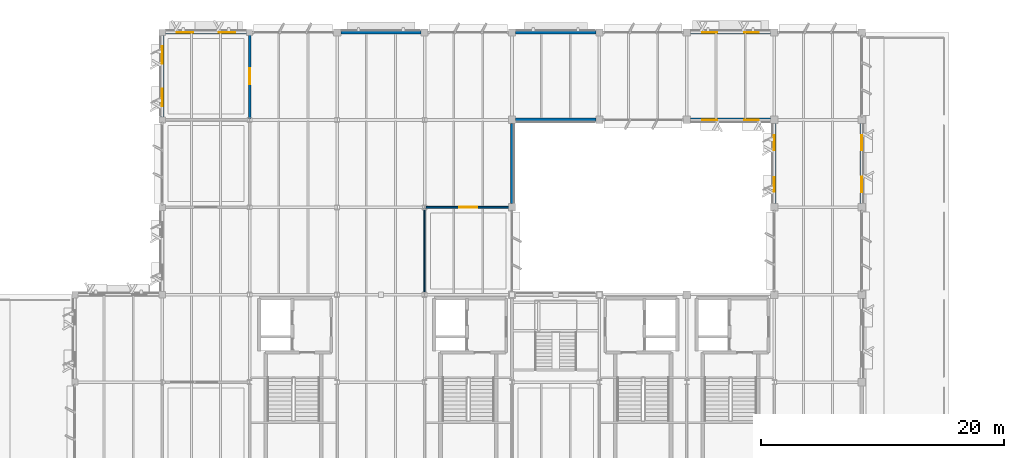
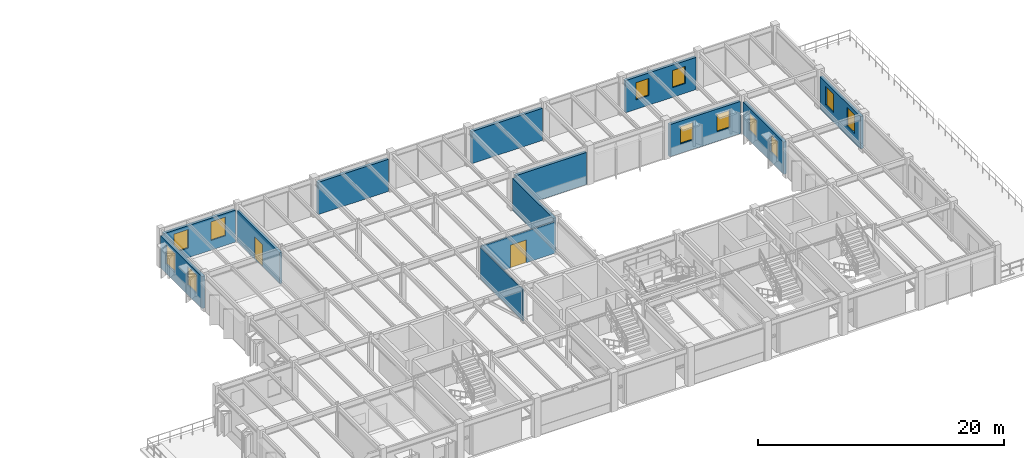
# One storey, part 15 of 35: 13 walls, 12 windows, 2 doors, 14 openings.
"""IFC4 building model written with IfcOpenShell, lengths in metres."""

from ifc_helpers import new_model, si_unit, direction, frame, frame_2d, origin, place, context, subcontext, project, spatial, rectangle, extrude, material, layer, layer_set, type_object, element, fill, save


model = new_model("IFC4")

# Units and contexts
model_context = context("Model", 3, precision=1e-05, world=origin(), true_north=direction((0.0, 1.0)))
body_context = subcontext(model_context, "Body", "Model", "MODEL_VIEW")
ifc_project = project(units=[si_unit("LENGTHUNIT", "METRE"), si_unit("AREAUNIT", "SQUARE_METRE"), si_unit("VOLUMEUNIT", "CUBIC_METRE"), si_unit("PLANEANGLEUNIT", "RADIAN"), si_unit("MASSUNIT", "GRAM", prefix="KILO")], contexts=[model_context])

# Site, building, storey
site_placement = place(None, origin())
site = spatial("IfcSite", under=ifc_project, at=site_placement, CompositionType="ELEMENT")
building_placement = place(site_placement, origin())
building = spatial("IfcBuilding", under=site, at=building_placement, Name="Sillqori Civic Hall", CompositionType="ELEMENT")
storey_placement = place(building_placement, frame((0.0, 0.0, 18.0)))
storey = spatial("IfcBuildingStorey", under=building, at=storey_placement, Name="L05", CompositionType="ELEMENT", Elevation=18.0)

# Wall, openings, windows
ifc_material_1 = material(Name="Precast concrete C40/50 (H40)", Category="concrete")
ifc_layer_1 = layer(ifc_material_1, 0.280029296875)
ifc_layer_set_1 = layer_set([ifc_layer_1], Name="Precast concrete C40/50 (H40)")
wall_type_1 = type_object("IfcWallType", Name="EW-LIME-280", PredefinedType="SOLIDWALL", material=ifc_layer_set_1)
wall_1_placement = place(storey_placement, frame((43.449951171875, 115.199951171875, 0.0), z_axis=(0.0, 0.0, 1.0), x_axis=(1.0, 0.0, 0.0)))
wall_1 = element("IfcWall", 1, at=wall_1_placement, inside=storey, type_object=wall_type_1, Name="L05 V4 exterior wall L05-06-15-N", PredefinedType="SOLIDWALL", context=body_context, shape_type="SweptSolid", body=[
    extrude(rectangle(XDim=6.699951171875, YDim=0.280029296875, at=frame_2d((3.35009765625, 0.0))), origin(), (0.0, 0.0, 1.0), 3.172119140625),
])
opening_1_placement = place(wall_1_placement, frame((0.93310546875, 0.0, 0.949951171875)))
opening_1 = element("IfcOpeningElement", 2, at=opening_1_placement, cuts=wall_1, Name="Opening W-42", PredefinedType="OPENING", context=body_context, shape_type="SweptSolid", body=[
    extrude(rectangle(XDim=1.35009765625, YDim=1.85009765625, at=frame_2d((0.675048828125, 0.925048828125))), frame((0.0, 0.14990234375, 0.0), z_axis=(0.0, -1.0, 0.0), x_axis=(1.0, 0.0, 0.0)), (0.0, 0.0, 1.0), 0.300048828125),
])
opening_2_placement = place(wall_1_placement, frame((4.4169921875, 0.0, 0.949951171875)))
opening_2 = element("IfcOpeningElement", 3, at=opening_2_placement, cuts=wall_1, Name="Opening W-42", PredefinedType="OPENING", context=body_context, shape_type="SweptSolid", body=[
    extrude(rectangle(XDim=1.35009765625, YDim=1.85009765625, at=frame_2d((0.675048828125, 0.925048828125))), frame((0.0, 0.14990234375, 0.0), z_axis=(0.0, -1.0, 0.0), x_axis=(1.0, 0.0, 0.0)), (0.0, 0.0, 1.0), 0.300048828125),
])
ifc_material_2 = material(Name="Thermally Broken Aluminium Low-E Window", Category="aluminium")
window_type_1 = type_object("IfcWindowType", Name="WIN-GD-135X185", PartitioningType="SINGLE_PANEL", PredefinedType="WINDOW", material=ifc_material_2)
window_1_placement = place(opening_1_placement, origin())
window_1 = element("IfcWindow", 4, at=window_1_placement, inside=storey, type_object=window_type_1, Name="L05 V4 window L05-06-15-N.1", OverallHeight=1.85009765625, OverallWidth=1.35009765625, PartitioningType="SINGLE_PANEL", PredefinedType="WINDOW", context=body_context, shape_type="SweptSolid", body=[
    extrude(rectangle(XDim=1.35009765625, YDim=1.85009765625, at=frame_2d((0.675048828125, 0.925048828125))), frame((0.0, 0.030029296875, 0.0), z_axis=(0.0, -1.0, 0.0), x_axis=(1.0, 0.0, 0.0)), (0.0, 0.0, 1.0), 0.06005859375),
])
fill(opening_1, window_1)
window_2_placement = place(opening_2_placement, origin())
window_2 = element("IfcWindow", 5, at=window_2_placement, inside=storey, type_object=window_type_1, Name="L05 V4 window L05-06-15-N.2", OverallHeight=1.85009765625, OverallWidth=1.35009765625, PartitioningType="SINGLE_PANEL", PredefinedType="WINDOW", context=body_context, shape_type="SweptSolid", body=[
    extrude(rectangle(XDim=1.35009765625, YDim=1.85009765625, at=frame_2d((0.675048828125, 0.925048828125))), frame((0.0, 0.030029296875, 0.0), z_axis=(0.0, -1.0, 0.0), x_axis=(1.0, 0.0, 0.0)), (0.0, 0.0, 1.0), 0.06005859375),
])
fill(opening_2, window_2)

wall_2_placement = place(storey_placement, frame((43.199951171875, 108.25, 0.0), z_axis=(0.0, 0.0, 1.0), x_axis=(0.0, 1.0, 0.0)))
wall_2 = element("IfcWall", 6, at=wall_2_placement, inside=storey, type_object=wall_type_1, Name="L05 V4 exterior wall L05-06-15-W", PredefinedType="SOLIDWALL", context=body_context, shape_type="SweptSolid", body=[
    extrude(rectangle(XDim=6.699951171875, YDim=0.280029296875, at=frame_2d((3.35009765625, 0.0))), origin(), (0.0, 0.0, 1.0), 3.172119140625),
])
opening_3_placement = place(wall_2_placement, frame((0.883056640625, 0.0, 0.949951171875)))
opening_3 = element("IfcOpeningElement", 7, at=opening_3_placement, cuts=wall_2, Name="Opening W-43", PredefinedType="OPENING", context=body_context, shape_type="SweptSolid", body=[
    extrude(rectangle(XDim=1.449951171875, YDim=1.85009765625, at=frame_2d((0.72509765625, 0.925048828125))), frame((0.0, 0.14990234375, 0.0), z_axis=(0.0, -1.0, 0.0), x_axis=(1.0, 0.0, 0.0)), (0.0, 0.0, 1.0), 0.300048828125),
])
opening_4_placement = place(wall_2_placement, frame((4.366943359375, 0.0, 0.949951171875)))
opening_4 = element("IfcOpeningElement", 8, at=opening_4_placement, cuts=wall_2, Name="Opening W-43", PredefinedType="OPENING", context=body_context, shape_type="SweptSolid", body=[
    extrude(rectangle(XDim=1.449951171875, YDim=1.85009765625, at=frame_2d((0.72509765625, 0.925048828125))), frame((0.0, 0.14990234375, 0.0), z_axis=(0.0, -1.0, 0.0), x_axis=(1.0, 0.0, 0.0)), (0.0, 0.0, 1.0), 0.300048828125),
])
window_type_2 = type_object("IfcWindowType", Name="WIN-GD-145X185", PartitioningType="SINGLE_PANEL", PredefinedType="WINDOW", material=ifc_material_2)
window_3_placement = place(opening_3_placement, origin())
window_3 = element("IfcWindow", 9, at=window_3_placement, inside=storey, type_object=window_type_2, Name="L05 V4 window L05-06-15-W.1", OverallHeight=1.85009765625, OverallWidth=1.449951171875, PartitioningType="SINGLE_PANEL", PredefinedType="WINDOW", context=body_context, shape_type="SweptSolid", body=[
    extrude(rectangle(XDim=1.449951171875, YDim=1.85009765625, at=frame_2d((0.72509765625, 0.925048828125))), frame((0.0, 0.030029296875, 0.0), z_axis=(0.0, -1.0, 0.0), x_axis=(1.0, 0.0, 0.0)), (0.0, 0.0, 1.0), 0.06005859375),
])
fill(opening_3, window_3)
window_4_placement = place(opening_4_placement, origin())
window_4 = element("IfcWindow", 10, at=window_4_placement, inside=storey, type_object=window_type_2, Name="L05 V4 window L05-06-15-W.2", OverallHeight=1.85009765625, OverallWidth=1.449951171875, PartitioningType="SINGLE_PANEL", PredefinedType="WINDOW", context=body_context, shape_type="SweptSolid", body=[
    extrude(rectangle(XDim=1.449951171875, YDim=1.85009765625, at=frame_2d((0.72509765625, 0.925048828125))), frame((0.0, 0.030029296875, 0.0), z_axis=(0.0, -1.0, 0.0), x_axis=(1.0, 0.0, 0.0)), (0.0, 0.0, 1.0), 0.06005859375),
])
fill(opening_4, window_4)

# Walls
wall_3_placement = place(storey_placement, frame((57.89990234375, 115.199951171875, 0.0), z_axis=(0.0, 0.0, 1.0), x_axis=(1.0, 0.0, 0.0)))
element("IfcWall", 11, at=wall_3_placement, inside=storey, type_object=wall_type_1, Name="L05 V4 exterior wall L05-08-15-N", PredefinedType="SOLIDWALL", context=body_context, shape_type="SweptSolid", body=[
    extrude(rectangle(XDim=6.60009765625, YDim=0.280029296875, at=frame_2d((3.300048828125, 0.0))), origin(), (0.0, 0.0, 1.0), 3.19189453125),
])
for number, where, z_axis, x_axis, name in (
    (12, (72.0, 107.699951171875, 0.0), (0.0, 0.0, 1.0), (0.0, -1.0, 0.0), "L05 V4 exterior wall L05-09-14-E"),
    (13, (78.89990234375, 108.0, 0.0), (0.0, 0.0, 1.0), (-1.0, 0.0, 0.0), "L05 V4 exterior wall L05-10-15-S"),
    (14, (72.300048828125, 115.199951171875, 0.0), (0.0, 0.0, 1.0), (1.0, 0.0, 0.0), "L05 V4 exterior wall L05-10-15-N"),
):
    element("IfcWall", number, at=place(storey_placement, frame(where, z_axis=z_axis, x_axis=x_axis)), inside=storey, type_object=wall_type_1, Name=name, PredefinedType="SOLIDWALL", context=body_context, shape_type="SweptSolid", body=[
        extrude(rectangle(XDim=6.599853515625, YDim=0.280029296875, at=frame_2d((3.2998046875, 0.0))), origin(), (0.0, 0.0, 1.0), 3.19189453125),
    ])

# Wall, openings, windows
wall_4_placement = place(storey_placement, frame((93.300048828125, 108.0, 0.0), z_axis=(0.0, 0.0, 1.0), x_axis=(-1.0, 0.0, 0.0)))
wall_4 = element("IfcWall", 15, at=wall_4_placement, inside=storey, type_object=wall_type_1, Name="L05 V4 exterior wall L05-12-15-S", PredefinedType="SOLIDWALL", context=body_context, shape_type="SweptSolid", body=[
    extrude(rectangle(XDim=6.60009765625, YDim=0.280029296875, at=frame_2d((3.300048828125, 0.0))), origin(), (0.0, 0.0, 1.0), 3.19189453125),
])
opening_5_placement = place(wall_4_placement, frame((0.98388671875, 0.0, 0.949951171875)))
opening_5 = element("IfcOpeningElement", 16, at=opening_5_placement, cuts=wall_4, Name="Opening W-22", PredefinedType="OPENING", context=body_context, shape_type="SweptSolid", body=[
    extrude(rectangle(XDim=1.199951171875, YDim=1.699951171875, at=frame_2d((0.60009765625, 0.85009765625))), frame((0.0, 0.14990234375, 0.0), z_axis=(0.0, -1.0, 0.0), x_axis=(1.0, 0.0, 0.0)), (0.0, 0.0, 1.0), 0.300048828125),
])
opening_6_placement = place(wall_4_placement, frame((4.416015625, 0.0, 0.949951171875)))
opening_6 = element("IfcOpeningElement", 17, at=opening_6_placement, cuts=wall_4, Name="Opening W-22", PredefinedType="OPENING", context=body_context, shape_type="SweptSolid", body=[
    extrude(rectangle(XDim=1.199951171875, YDim=1.699951171875, at=frame_2d((0.60009765625, 0.85009765625))), frame((0.0, 0.14990234375, 0.0), z_axis=(0.0, -1.0, 0.0), x_axis=(1.0, 0.0, 0.0)), (0.0, 0.0, 1.0), 0.300048828125),
])
window_type_3 = type_object("IfcWindowType", Name="WIN-V5-120X170", PartitioningType="SINGLE_PANEL", PredefinedType="WINDOW", material=ifc_material_2)
window_5_placement = place(opening_5_placement, origin())
window_5 = element("IfcWindow", 18, at=window_5_placement, inside=storey, type_object=window_type_3, Name="L05 V4 window L05-12-15-S.1", OverallHeight=1.699951171875, OverallWidth=1.199951171875, PartitioningType="SINGLE_PANEL", PredefinedType="WINDOW", context=body_context, shape_type="SweptSolid", body=[
    extrude(rectangle(XDim=1.199951171875, YDim=1.699951171875, at=frame_2d((0.60009765625, 0.85009765625))), frame((0.0, 0.030029296875, 0.0), z_axis=(0.0, -1.0, 0.0), x_axis=(1.0, 0.0, 0.0)), (0.0, 0.0, 1.0), 0.06005859375),
])
fill(opening_5, window_5)
window_6_placement = place(opening_6_placement, origin())
window_6 = element("IfcWindow", 19, at=window_6_placement, inside=storey, type_object=window_type_3, Name="L05 V4 window L05-12-15-S.2", OverallHeight=1.699951171875, OverallWidth=1.199951171875, PartitioningType="SINGLE_PANEL", PredefinedType="WINDOW", context=body_context, shape_type="SweptSolid", body=[
    extrude(rectangle(XDim=1.199951171875, YDim=1.699951171875, at=frame_2d((0.60009765625, 0.85009765625))), frame((0.0, 0.030029296875, 0.0), z_axis=(0.0, -1.0, 0.0), x_axis=(1.0, 0.0, 0.0)), (0.0, 0.0, 1.0), 0.06005859375),
])
fill(opening_6, window_6)

wall_5_placement = place(storey_placement, frame((86.699951171875, 115.199951171875, 0.0), z_axis=(0.0, 0.0, 1.0), x_axis=(1.0, 0.0, 0.0)))
wall_5 = element("IfcWall", 20, at=wall_5_placement, inside=storey, type_object=wall_type_1, Name="L05 V4 exterior wall L05-12-15-N", PredefinedType="SOLIDWALL", context=body_context, shape_type="SweptSolid", body=[
    extrude(rectangle(XDim=6.60009765625, YDim=0.280029296875, at=frame_2d((3.300048828125, 0.0))), origin(), (0.0, 0.0, 1.0), 3.19189453125),
])
opening_7_placement = place(wall_5_placement, frame((0.98388671875, 0.0, 0.949951171875)))
opening_7 = element("IfcOpeningElement", 21, at=opening_7_placement, cuts=wall_5, Name="Opening W-22", PredefinedType="OPENING", context=body_context, shape_type="SweptSolid", body=[
    extrude(rectangle(XDim=1.199951171875, YDim=1.699951171875, at=frame_2d((0.60009765625, 0.85009765625))), frame((0.0, 0.14990234375, 0.0), z_axis=(0.0, -1.0, 0.0), x_axis=(1.0, 0.0, 0.0)), (0.0, 0.0, 1.0), 0.300048828125),
])
opening_8_placement = place(wall_5_placement, frame((4.416015625, 0.0, 0.949951171875)))
opening_8 = element("IfcOpeningElement", 22, at=opening_8_placement, cuts=wall_5, Name="Opening W-22", PredefinedType="OPENING", context=body_context, shape_type="SweptSolid", body=[
    extrude(rectangle(XDim=1.199951171875, YDim=1.699951171875, at=frame_2d((0.60009765625, 0.85009765625))), frame((0.0, 0.14990234375, 0.0), z_axis=(0.0, -1.0, 0.0), x_axis=(1.0, 0.0, 0.0)), (0.0, 0.0, 1.0), 0.300048828125),
])
window_7_placement = place(opening_7_placement, origin())
window_7 = element("IfcWindow", 23, at=window_7_placement, inside=storey, type_object=window_type_3, Name="L05 V4 window L05-12-15-N.1", OverallHeight=1.699951171875, OverallWidth=1.199951171875, PartitioningType="SINGLE_PANEL", PredefinedType="WINDOW", context=body_context, shape_type="SweptSolid", body=[
    extrude(rectangle(XDim=1.199951171875, YDim=1.699951171875, at=frame_2d((0.60009765625, 0.85009765625))), frame((0.0, 0.030029296875, 0.0), z_axis=(0.0, -1.0, 0.0), x_axis=(1.0, 0.0, 0.0)), (0.0, 0.0, 1.0), 0.06005859375),
])
fill(opening_7, window_7)
window_8_placement = place(opening_8_placement, origin())
window_8 = element("IfcWindow", 24, at=window_8_placement, inside=storey, type_object=window_type_3, Name="L05 V4 window L05-12-15-N.2", OverallHeight=1.699951171875, OverallWidth=1.199951171875, PartitioningType="SINGLE_PANEL", PredefinedType="WINDOW", context=body_context, shape_type="SweptSolid", body=[
    extrude(rectangle(XDim=1.199951171875, YDim=1.699951171875, at=frame_2d((0.60009765625, 0.85009765625))), frame((0.0, 0.030029296875, 0.0), z_axis=(0.0, -1.0, 0.0), x_axis=(1.0, 0.0, 0.0)), (0.0, 0.0, 1.0), 0.06005859375),
])
fill(opening_8, window_8)

wall_6_placement = place(storey_placement, frame((93.60009765625, 101.10009765625, 0.0), z_axis=(0.0, 0.0, 1.0), x_axis=(0.0, 1.0, 0.0)))
wall_6 = element("IfcWall", 25, at=wall_6_placement, inside=storey, type_object=wall_type_1, Name="L05 V4 exterior wall L05-13-14-W", PredefinedType="SOLIDWALL", context=body_context, shape_type="SweptSolid", body=[
    extrude(rectangle(XDim=6.599853515625, YDim=0.280029296875, at=frame_2d((3.2998046875, 0.0))), origin(), (0.0, 0.0, 1.0), 3.19189453125),
])
opening_9_placement = place(wall_6_placement, frame((0.98388671875, 0.0, 0.949951171875)))
opening_9 = element("IfcOpeningElement", 26, at=opening_9_placement, cuts=wall_6, Name="Opening W-22", PredefinedType="OPENING", context=body_context, shape_type="SweptSolid", body=[
    extrude(rectangle(XDim=1.199951171875, YDim=1.699951171875, at=frame_2d((0.60009765625, 0.85009765625))), frame((0.0, 0.14990234375, 0.0), z_axis=(0.0, -1.0, 0.0), x_axis=(1.0, 0.0, 0.0)), (0.0, 0.0, 1.0), 0.300048828125),
])
opening_10_placement = place(wall_6_placement, frame((4.416015625, 0.0, 0.949951171875)))
opening_10 = element("IfcOpeningElement", 27, at=opening_10_placement, cuts=wall_6, Name="Opening W-22", PredefinedType="OPENING", context=body_context, shape_type="SweptSolid", body=[
    extrude(rectangle(XDim=1.199951171875, YDim=1.699951171875, at=frame_2d((0.60009765625, 0.85009765625))), frame((0.0, 0.14990234375, 0.0), z_axis=(0.0, -1.0, 0.0), x_axis=(1.0, 0.0, 0.0)), (0.0, 0.0, 1.0), 0.300048828125),
])
window_9_placement = place(opening_9_placement, origin())
window_9 = element("IfcWindow", 28, at=window_9_placement, inside=storey, type_object=window_type_3, Name="L05 V4 window L05-13-14-W.1", OverallHeight=1.699951171875, OverallWidth=1.199951171875, PartitioningType="SINGLE_PANEL", PredefinedType="WINDOW", context=body_context, shape_type="SweptSolid", body=[
    extrude(rectangle(XDim=1.199951171875, YDim=1.699951171875, at=frame_2d((0.60009765625, 0.85009765625))), frame((0.0, 0.030029296875, 0.0), z_axis=(0.0, -1.0, 0.0), x_axis=(1.0, 0.0, 0.0)), (0.0, 0.0, 1.0), 0.06005859375),
])
fill(opening_9, window_9)
window_10_placement = place(opening_10_placement, origin())
window_10 = element("IfcWindow", 29, at=window_10_placement, inside=storey, type_object=window_type_3, Name="L05 V4 window L05-13-14-W.2", OverallHeight=1.699951171875, OverallWidth=1.199951171875, PartitioningType="SINGLE_PANEL", PredefinedType="WINDOW", context=body_context, shape_type="SweptSolid", body=[
    extrude(rectangle(XDim=1.199951171875, YDim=1.699951171875, at=frame_2d((0.60009765625, 0.85009765625))), frame((0.0, 0.030029296875, 0.0), z_axis=(0.0, -1.0, 0.0), x_axis=(1.0, 0.0, 0.0)), (0.0, 0.0, 1.0), 0.06005859375),
])
fill(opening_10, window_10)

wall_7_placement = place(storey_placement, frame((100.800048828125, 107.699951171875, 0.0), z_axis=(0.0, 0.0, 1.0), x_axis=(0.0, -1.0, 0.0)))
wall_7 = element("IfcWall", 30, at=wall_7_placement, inside=storey, type_object=wall_type_1, Name="L05 V4 exterior wall L05-13-14-E", PredefinedType="SOLIDWALL", context=body_context, shape_type="SweptSolid", body=[
    extrude(rectangle(XDim=6.599853515625, YDim=0.280029296875, at=frame_2d((3.2998046875, 0.0))), origin(), (0.0, 0.0, 1.0), 3.19189453125),
])
opening_11_placement = place(wall_7_placement, frame((0.958984375, 0.0, 0.949951171875)))
opening_11 = element("IfcOpeningElement", 31, at=opening_11_placement, cuts=wall_7, Name="Opening W-41", PredefinedType="OPENING", context=body_context, shape_type="SweptSolid", body=[
    extrude(rectangle(XDim=1.25, YDim=1.85009765625, at=frame_2d((0.625, 0.925048828125))), frame((0.0, 0.14990234375, 0.0), z_axis=(0.0, -1.0, 0.0), x_axis=(1.0, 0.0, 0.0)), (0.0, 0.0, 1.0), 0.300048828125),
])
opening_12_placement = place(wall_7_placement, frame((4.39111328125, 0.0, 0.949951171875)))
opening_12 = element("IfcOpeningElement", 32, at=opening_12_placement, cuts=wall_7, Name="Opening W-41", PredefinedType="OPENING", context=body_context, shape_type="SweptSolid", body=[
    extrude(rectangle(XDim=1.25, YDim=1.85009765625, at=frame_2d((0.625, 0.925048828125))), frame((0.0, 0.14990234375, 0.0), z_axis=(0.0, -1.0, 0.0), x_axis=(1.0, 0.0, 0.0)), (0.0, 0.0, 1.0), 0.300048828125),
])
window_type_4 = type_object("IfcWindowType", Name="WIN-GD-125X185", PartitioningType="SINGLE_PANEL", PredefinedType="WINDOW", material=ifc_material_2)
window_11_placement = place(opening_11_placement, origin())
window_11 = element("IfcWindow", 33, at=window_11_placement, inside=storey, type_object=window_type_4, Name="L05 V4 window L05-13-14-E.1", OverallHeight=1.85009765625, OverallWidth=1.25, PartitioningType="SINGLE_PANEL", PredefinedType="WINDOW", context=body_context, shape_type="SweptSolid", body=[
    extrude(rectangle(XDim=1.25, YDim=1.85009765625, at=frame_2d((0.625, 0.925048828125))), frame((0.0, 0.030029296875, 0.0), z_axis=(0.0, -1.0, 0.0), x_axis=(1.0, 0.0, 0.0)), (0.0, 0.0, 1.0), 0.06005859375),
])
fill(opening_11, window_11)
window_12_placement = place(opening_12_placement, origin())
window_12 = element("IfcWindow", 34, at=window_12_placement, inside=storey, type_object=window_type_4, Name="L05 V4 window L05-13-14-E.2", OverallHeight=1.85009765625, OverallWidth=1.25, PartitioningType="SINGLE_PANEL", PredefinedType="WINDOW", context=body_context, shape_type="SweptSolid", body=[
    extrude(rectangle(XDim=1.25, YDim=1.85009765625, at=frame_2d((0.625, 0.925048828125))), frame((0.0, 0.030029296875, 0.0), z_axis=(0.0, -1.0, 0.0), x_axis=(1.0, 0.0, 0.0)), (0.0, 0.0, 1.0), 0.06005859375),
])
fill(opening_12, window_12)

# Wall, opening, door
ifc_material_3 = material(Name="Concrete C25/30 (H25)", Category="concrete")
ifc_layer_2 = layer(ifc_material_3, 0.235107421875)
ifc_layer_set_2 = layer_set([ifc_layer_2], Name="Concrete C25/30 (H25)")
wall_type_2 = type_object("IfcWallType", Name="PT-ARC-235", PredefinedType="PARTITIONING", material=ifc_layer_set_2)
wall_8_placement = place(storey_placement, frame((50.39990234375, 115.080078125, 0.0), z_axis=(0.0, 0.0, 1.0), x_axis=(0.0, -1.0, 0.0)))
wall_8 = element("IfcWall", 35, at=wall_8_placement, inside=storey, type_object=wall_type_2, Name="Public Contracts Archive and Registry partition E1", PredefinedType="PARTITIONING", context=body_context, shape_type="SweptSolid", body=[
    extrude(rectangle(XDim=6.9599609375, YDim=0.235107421875, at=frame_2d((3.47998046875, 0.0))), origin(), (0.0, 0.0, 1.0), 3.087890625),
])
opening_13_placement = place(wall_8_placement, frame((2.830078125, 0.0, 0.0)))
opening_13 = element("IfcOpeningElement", 36, at=opening_13_placement, cuts=wall_8, Name="Opening FD-06", PredefinedType="OPENING", context=body_context, shape_type="SweptSolid", body=[
    extrude(rectangle(XDim=1.300048828125, YDim=2.199951171875, at=frame_2d((0.64990234375, 1.10009765625))), frame((0.0, 0.12744140625, 0.0), z_axis=(0.0, -1.0, 0.0), x_axis=(1.0, 0.0, 0.0)), (0.0, 0.0, 1.0), 0.255126953125),
])
ifc_material_4 = material(Name="Archive Vault Fire Door", Category="steel")
door_type_1 = type_object("IfcDoorType", Name="FDR-ARC-130X220", OperationType="NOTDEFINED", PredefinedType="DOOR", material=ifc_material_4)
door_1_placement = place(opening_13_placement, origin())
door_1 = element("IfcDoor", 37, at=door_1_placement, inside=storey, type_object=door_type_1, Name="Public Contracts Archive and Registry entrance door", OperationType="SINGLE_SWING_RIGHT", OverallHeight=2.199951171875, OverallWidth=1.300048828125, PredefinedType="DOOR", context=body_context, shape_type="SweptSolid", body=[
    extrude(rectangle(XDim=1.300048828125, YDim=2.199951171875, at=frame_2d((0.64990234375, 1.10009765625))), frame((0.0, 0.02490234375, 0.0), z_axis=(0.0, -1.0, 0.0), x_axis=(1.0, 0.0, 0.0)), (0.0, 0.0, 1.0), 0.050048828125),
])
fill(opening_13, door_1)

# Wall
ifc_material_5 = material(Name="Framed Acoustic Glazed Office Screen 106", Category="glass")
ifc_layer_3 = layer(ifc_material_5, 0.10595703125)
ifc_layer_set_3 = layer_set([ifc_layer_3], Name="Framed Acoustic Glazed Office Screen 106")
wall_type_3 = type_object("IfcWallType", Name="PT-GLZ-106", PredefinedType="PARTITIONING", material=ifc_layer_set_3)
wall_9_placement = place(storey_placement, frame((64.800048828125, 93.719970703125, 0.0), z_axis=(0.0, 0.0, 1.0), x_axis=(0.0, 1.0, 0.0)))
element("IfcWall", 38, at=wall_9_placement, inside=storey, type_object=wall_type_3, Name="Civic Staff Continuing Education Classroom partition W3", PredefinedType="PARTITIONING", context=body_context, shape_type="SweptSolid", body=[
    extrude(rectangle(XDim=6.9599609375, YDim=0.10595703125, at=frame_2d((3.47998046875, 0.0))), origin(), (0.0, 0.0, 1.0), 3.10791015625),
])

# Wall, opening, door
ifc_material_6 = material(Name="Corridor Fire-Rated Partition 150", Category="gypsum")
ifc_layer_4 = layer(ifc_material_6, 0.14990234375)
ifc_layer_set_4 = layer_set([ifc_layer_4], Name="Corridor Fire-Rated Partition 150")
wall_type_4 = type_object("IfcWallType", Name="PT-GYP-150", PredefinedType="PARTITIONING", material=ifc_layer_set_4)
wall_10_placement = place(storey_placement, frame((64.919921875, 100.800048828125, 0.0), z_axis=(0.0, 0.0, 1.0), x_axis=(1.0, 0.0, 0.0)))
wall_10 = element("IfcWall", 39, at=wall_10_placement, inside=storey, type_object=wall_type_4, Name="Civic Staff Continuing Education Classroom partition N1", PredefinedType="PARTITIONING", context=body_context, shape_type="SweptSolid", body=[
    extrude(rectangle(XDim=6.9599609375, YDim=0.14990234375, at=frame_2d((3.47998046875, 0.0))), origin(), (0.0, 0.0, 1.0), 3.10791015625),
])
opening_14_placement = place(wall_10_placement, frame((2.739990234375, 0.0, 0.0)))
opening_14 = element("IfcOpeningElement", 40, at=opening_14_placement, cuts=wall_10, Name="Opening ID-12", PredefinedType="OPENING", context=body_context, shape_type="SweptSolid", body=[
    extrude(rectangle(XDim=1.47998046875, YDim=2.25, at=frame_2d((0.739990234375, 1.125))), frame((0.0, 0.0849609375, 0.0), z_axis=(0.0, -1.0, 0.0), x_axis=(1.0, 0.0, 0.0)), (0.0, 0.0, 1.0), 0.169921875),
])
ifc_material_7 = material(Name="Civic Training Classroom Door", Category="timber")
door_type_2 = type_object("IfcDoorType", Name="IDR-TRN-148X225", OperationType="NOTDEFINED", PredefinedType="DOOR", material=ifc_material_7)
door_2_placement = place(opening_14_placement, origin())
door_2 = element("IfcDoor", 41, at=door_2_placement, inside=storey, type_object=door_type_2, Name="Civic Staff Continuing Education Classroom entrance door", OperationType="DOUBLE_DOOR_SINGLE_SWING", OverallHeight=2.25, OverallWidth=1.47998046875, PredefinedType="DOOR", context=body_context, shape_type="SweptSolid", body=[
    extrude(rectangle(XDim=1.47998046875, YDim=2.25, at=frame_2d((0.739990234375, 1.125))), frame((0.0, 0.02490234375, 0.0), z_axis=(0.0, -1.0, 0.0), x_axis=(1.0, 0.0, 0.0)), (0.0, 0.0, 1.0), 0.050048828125),
])
fill(opening_14, door_2)

save(model, "model.ifc")
